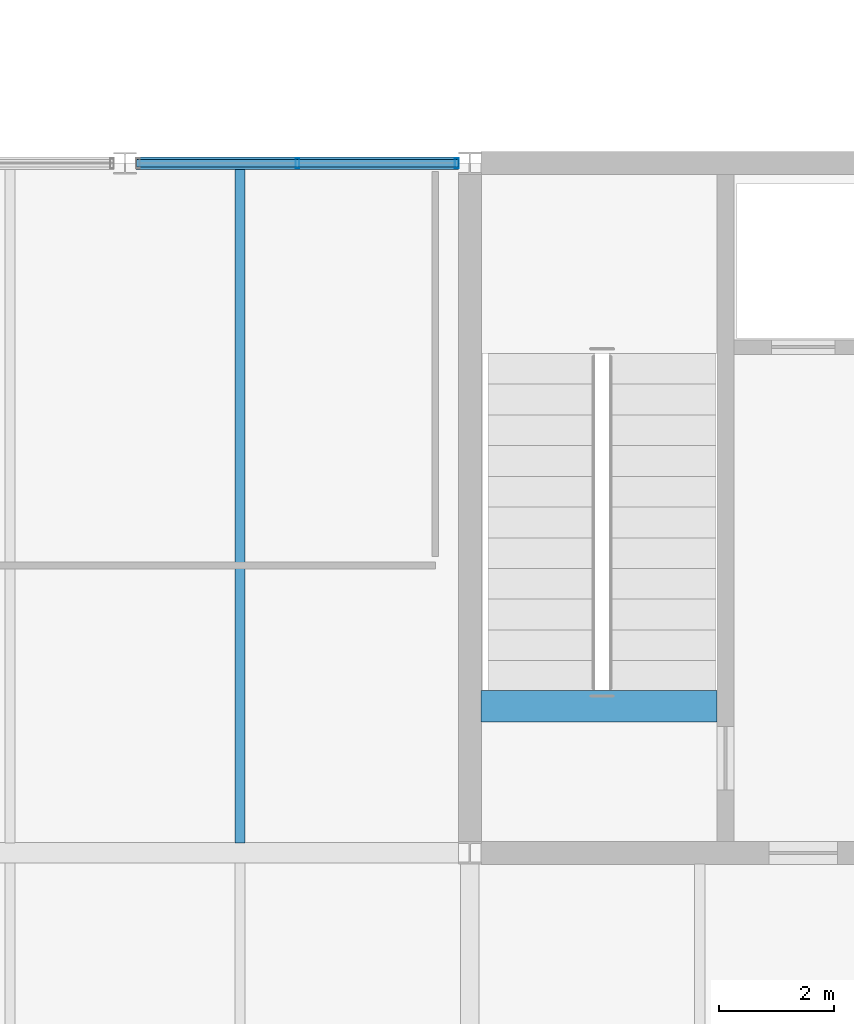
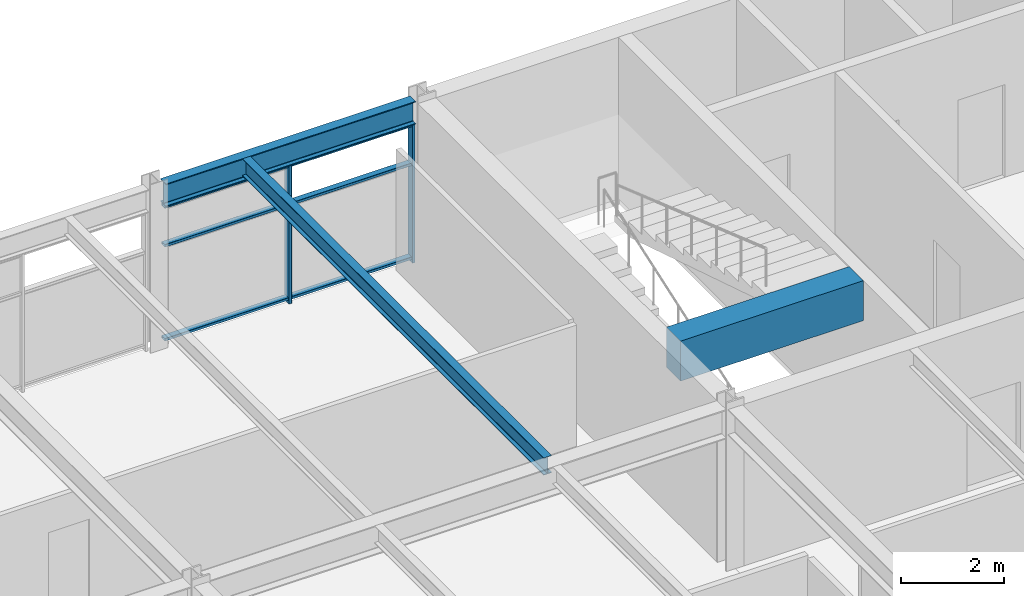
# One storey, part 34 of 49: 5 members, 3 beams, 1 element without a shape of its own.
"""IFC4 building model written with IfcOpenShell, lengths in metres."""

from ifc_helpers import new_model, si_unit, direction, frame, origin, origin_2d, place, context, subcontext, project, spatial, rectangle, hollow_rectangle, i_section, extrude, material, material_profile, profile_set, type_object, element, aggregate, save


model = new_model("IFC4")

# Units and contexts
model_context = context("Model", 3, precision=1e-05, world=origin(), true_north=direction((0.0, 1.0)))
body_context = subcontext(model_context, "Body", "Model", "MODEL_VIEW")
ifc_project = project(units=[si_unit("LENGTHUNIT", "METRE"), si_unit("AREAUNIT", "SQUARE_METRE"), si_unit("VOLUMEUNIT", "CUBIC_METRE"), si_unit("PLANEANGLEUNIT", "RADIAN"), si_unit("MASSUNIT", "GRAM", prefix="KILO")], contexts=[model_context])

# Site, building, storey
site_placement = place(None, origin())
site = spatial("IfcSite", under=ifc_project, at=site_placement, CompositionType="ELEMENT")
building_placement = place(site_placement, origin())
building = spatial("IfcBuilding", under=site, at=building_placement, Name="Girod Span Mobility Hub", CompositionType="ELEMENT")
storey_placement = place(building_placement, frame((0.0, 0.0, 37.60009765625)))
storey = spatial("IfcBuildingStorey", under=building, at=storey_placement, Name="L09", CompositionType="ELEMENT", Elevation=37.60009765625)

# Beams
ifc_material_1 = material(Name="Concrete C40/50", Category="concrete")
ifc_material_profile_1 = material_profile(ifc_material_1, rectangle(XDim=0.550048828125, YDim=0.949951171875, at=origin_2d()), Name="RK-550X950")
ifc_profile_set_1 = profile_set([ifc_material_profile_1], Name="Concrete C40/50")
beam_type_1 = type_object("IfcBeamType", Name="BM-RK-550X950", PredefinedType="BEAM", material=ifc_profile_set_1)
beam_1_placement = place(storey_placement, frame((108.197021484375, 59.550048828125, 3.35986328125), z_axis=(1.0, 0.0, 0.0), x_axis=(0.0, 1.0, 0.0)))
element("IfcBeam", 1, at=beam_1_placement, inside=storey, type_object=beam_type_1, Name="Stair ST-2 Landing Header Beam L09", PredefinedType="BEAM", context=body_context, shape_type="SweptSolid", body=[
    extrude(rectangle(XDim=0.550048828125, YDim=0.949951171875, at=origin_2d()), origin(), (0.0, 0.0, 1.0), 4.10595703125),
])
ifc_material_2 = material(Name="Steel A992 Grade 50", Category="steel")
ifc_material_profile_2 = material_profile(ifc_material_2, i_section(OverallWidth=0.178955078125, OverallDepth=0.409912109375, WebThickness=0.0087890625, FlangeThickness=0.014404296875, FilletRadius=0.012939453125, at=origin_2d()), Name="W16X45")
ifc_profile_set_2 = profile_set([ifc_material_profile_2], Name="Steel A992 Grade 50")
beam_type_2 = type_object("IfcBeamType", Name="BM-STL-W16X45", PredefinedType="BEAM", material=ifc_profile_set_2)
beam_2_placement = place(storey_placement, frame((104.0, 57.174560546875, 3.6298828125), z_axis=(0.0, 1.0, 0.0), x_axis=(-1.0, 0.0, 0.0)))
element("IfcBeam", 2, at=beam_2_placement, inside=storey, type_object=beam_type_2, Name="Composite Floorbeam 9/E-2 L09", PredefinedType="BEAM", context=body_context, shape_type="SweptSolid", body=[
    extrude(i_section(OverallWidth=0.178955078125, OverallDepth=0.409912109375, WebThickness=0.0087890625, FlangeThickness=0.014404296875, FilletRadius=0.012939453125, at=origin_2d()), origin(), (0.0, 0.0, 1.0), 11.722412109375),
])
ifc_material_3 = material(Name="Steel A992 Grade 50", Category="steel")
ifc_material_profile_3 = material_profile(ifc_material_3, i_section(OverallWidth=0.2119140625, OverallDepth=0.5439453125, WebThickness=0.01318359375, FlangeThickness=0.021240234375, FilletRadius=0.014892578125, at=origin_2d()), Name="W21X83")
ifc_profile_set_3 = profile_set([ifc_material_profile_3], Name="Steel A992 Grade 50")
beam_type_3 = type_object("IfcBeamType", Name="BM-STL-W21X83", PredefinedType="SPANDREL", material=ifc_profile_set_3)
beam_3_placement = place(storey_placement, frame((102.194091796875, 69.0, 3.56298828125), z_axis=(1.0, 0.0, 0.0), x_axis=(0.0, 1.0, 0.0)))
element("IfcBeam", 3, at=beam_3_placement, inside=storey, type_object=beam_type_3, Name="Spandrel Beam 9-10/F-E L09", PredefinedType="SPANDREL", context=body_context, shape_type="SweptSolid", body=[
    extrude(i_section(OverallWidth=0.2119140625, OverallDepth=0.5439453125, WebThickness=0.01318359375, FlangeThickness=0.021240234375, FilletRadius=0.014892578125, at=origin_2d()), origin(), (0.0, 0.0, 1.0), 5.609375),
])

# Curtain wall, members
ifc_material_4 = material(Name="Thermally Broken Anodised Aluminium", Category="aluminium")
curtain_wall_type = type_object("IfcCurtainWallType", Name="CW-561X329", PredefinedType="USERDEFINED", material=ifc_material_4)
curtain_wall_placement = place(storey_placement, origin())
curtain_wall = element("IfcCurtainWall", 4, at=curtain_wall_placement, inside=storey, type_object=curtain_wall_type, Name="Unitised Curtain Wall CW-L09-N09E L09", ObjectType="UNITISED CURTAIN WALL", PredefinedType="USERDEFINED")
ifc_material_5 = material(Name="Thermally Broken Anodised Aluminium", Category="aluminium")
ifc_material_profile_4 = material_profile(ifc_material_5, hollow_rectangle(XDim=0.179931640625, YDim=0.06494140625, WallThickness=0.00390625, InnerFilletRadius=0.00390625, OuterFilletRadius=0.008056640625, at=origin_2d()), Name="CW-ML-65X180")
ifc_profile_set_4 = profile_set([ifc_material_profile_4], Name="Thermally Broken Anodised Aluminium")
member_type_1 = type_object("IfcMemberType", Name="CWM-ML-2", PredefinedType="MULLION", material=ifc_profile_set_4)
member_1_placement = place(storey_placement, frame((104.998779296875, 69.0, 0.0), z_axis=(0.0, 0.0, 1.0), x_axis=(0.0, 1.0, 0.0)))
member_1 = element("IfcMember", 5, at=member_1_placement, type_object=member_type_1, Name="Curtain Wall Mullion CW-L09-N09E-M1", PredefinedType="MULLION", context=body_context, shape_type="SweptSolid", body=[
    extrude(hollow_rectangle(XDim=0.179931640625, YDim=0.06494140625, WallThickness=0.00390625, InnerFilletRadius=0.00390625, OuterFilletRadius=0.008056640625, at=origin_2d()), origin(), (0.0, 0.0, 1.0), 3.291015625),
])
member_2_placement = place(storey_placement, frame((107.7705078125, 69.0, 0.0), z_axis=(0.0, 0.0, 1.0), x_axis=(0.0, 1.0, 0.0)))
member_2 = element("IfcMember", 6, at=member_2_placement, type_object=member_type_1, Name="Curtain Wall Mullion CW-L09-N09E-M2", PredefinedType="MULLION", context=body_context, shape_type="SweptSolid", body=[
    extrude(hollow_rectangle(XDim=0.179931640625, YDim=0.06494140625, WallThickness=0.00390625, InnerFilletRadius=0.00390625, OuterFilletRadius=0.008056640625, at=origin_2d()), origin(), (0.0, 0.0, 1.0), 3.291015625),
])
ifc_material_6 = material(Name="Thermally Broken Anodised Aluminium", Category="aluminium")
ifc_material_profile_5 = material_profile(ifc_material_6, hollow_rectangle(XDim=0.135009765625, YDim=0.06494140625, WallThickness=0.00390625, InnerFilletRadius=0.00390625, OuterFilletRadius=0.008056640625, at=origin_2d()), Name="CW-TR-65X135")
ifc_profile_set_5 = profile_set([ifc_material_profile_5], Name="Thermally Broken Anodised Aluminium")
member_type_2 = type_object("IfcMemberType", Name="CWM-TR-2", PredefinedType="USERDEFINED", material=ifc_profile_set_5)
member_3_placement = place(storey_placement, frame((102.195068359375, 69.0, 0.107421875), z_axis=(1.0, 0.0, 0.0), x_axis=(0.0, 1.0, 0.0)))
member_3 = element("IfcMember", 7, at=member_3_placement, type_object=member_type_2, Name="Curtain Wall Transom CW-L09-N09E-T1", ObjectType="TRANSOM", PredefinedType="USERDEFINED", context=body_context, shape_type="SweptSolid", body=[
    extrude(hollow_rectangle(XDim=0.135009765625, YDim=0.06494140625, WallThickness=0.00390625, InnerFilletRadius=0.00390625, OuterFilletRadius=0.008056640625, at=origin_2d()), origin(), (0.0, 0.0, 1.0), 5.607421875),
])
member_4_placement = place(storey_placement, frame((102.195068359375, 69.0, 2.3369140625), z_axis=(1.0, 0.0, 0.0), x_axis=(0.0, 1.0, 0.0)))
member_4 = element("IfcMember", 8, at=member_4_placement, type_object=member_type_2, Name="Curtain Wall Transom CW-L09-N09E-T2", ObjectType="TRANSOM", PredefinedType="USERDEFINED", context=body_context, shape_type="SweptSolid", body=[
    extrude(hollow_rectangle(XDim=0.135009765625, YDim=0.06494140625, WallThickness=0.00390625, InnerFilletRadius=0.00390625, OuterFilletRadius=0.008056640625, at=origin_2d()), origin(), (0.0, 0.0, 1.0), 5.607421875),
])
member_5_placement = place(storey_placement, frame((102.195068359375, 69.0, 3.25830078125), z_axis=(1.0, 0.0, 0.0), x_axis=(0.0, 1.0, 0.0)))
member_5 = element("IfcMember", 9, at=member_5_placement, type_object=member_type_2, Name="Curtain Wall Transom CW-L09-N09E-T3", ObjectType="TRANSOM", PredefinedType="USERDEFINED", context=body_context, shape_type="SweptSolid", body=[
    extrude(hollow_rectangle(XDim=0.135009765625, YDim=0.06494140625, WallThickness=0.00390625, InnerFilletRadius=0.00390625, OuterFilletRadius=0.008056640625, at=origin_2d()), origin(), (0.0, 0.0, 1.0), 5.607421875),
])
aggregate(curtain_wall, [member_1, member_2, member_3, member_4, member_5])

save(model, "model.ifc")
